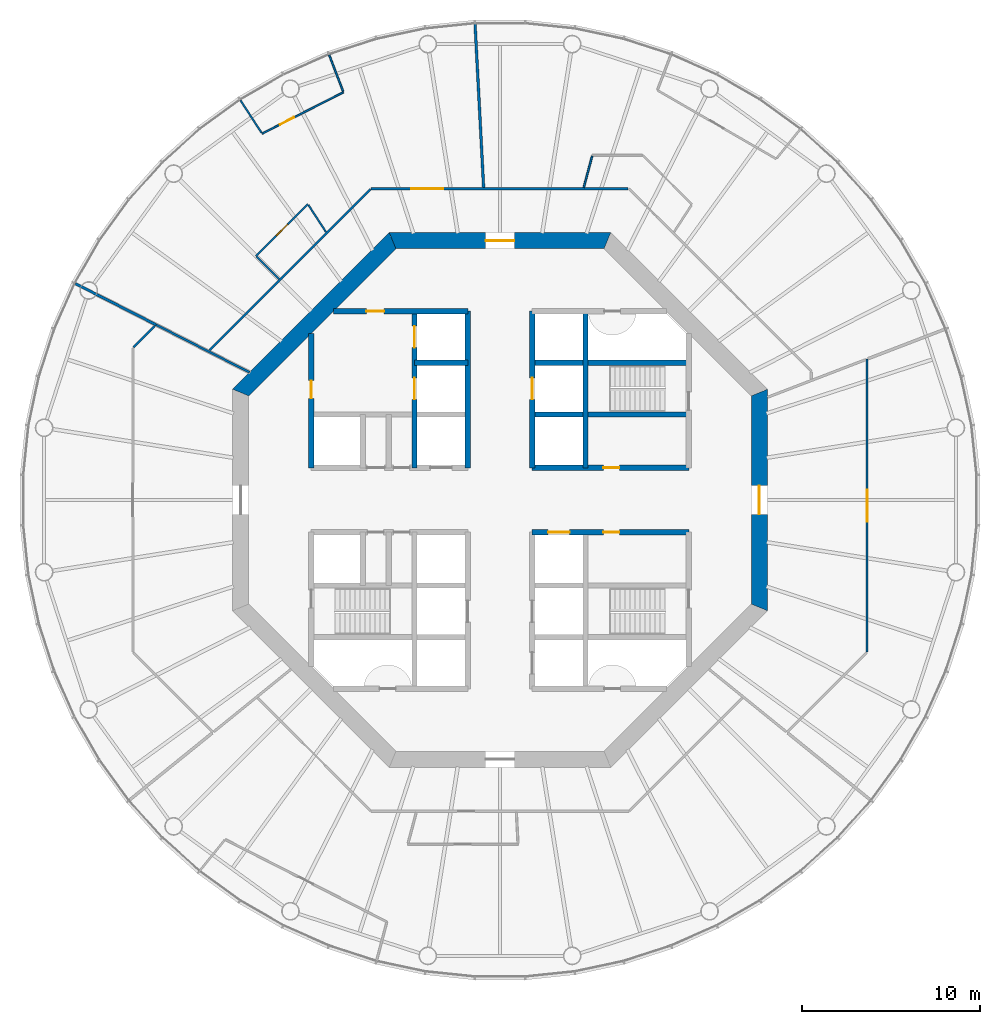
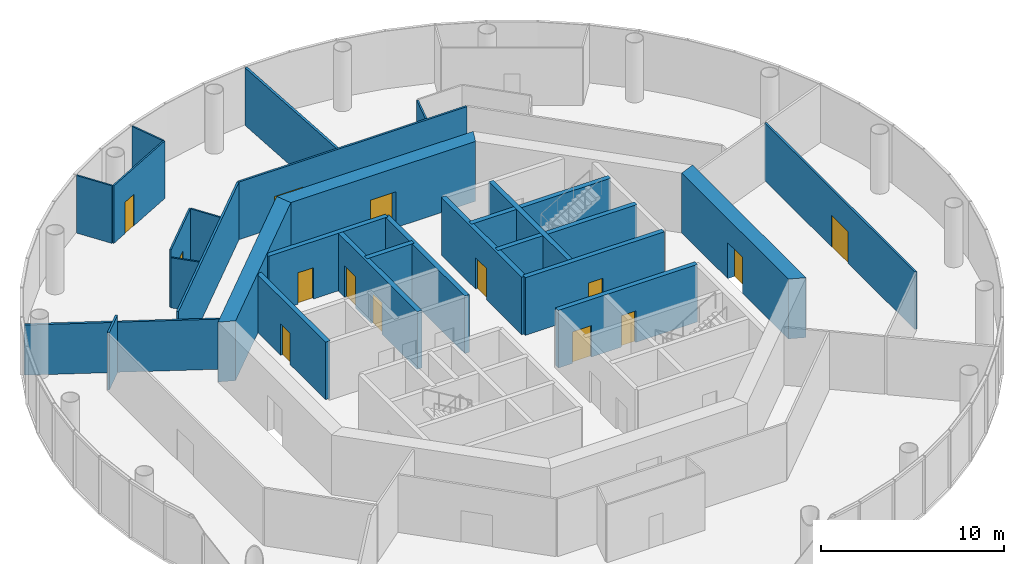
# One storey, part 4 of 12: 28 walls, 14 doors, 14 openings.
"""IFC4 building model written with IfcOpenShell, lengths in metres."""

from ifc_helpers import new_model, si_unit, direction, frame, frame_2d, origin, place, context, subcontext, project, spatial, polyline, rectangle, outline, extrude, material, layer, layer_set, type_object, element, fill, save


model = new_model("IFC4")

# Units and contexts
model_context = context("Model", 3, precision=1e-05, world=origin(), true_north=direction((0.0, 1.0)))
body_context = subcontext(model_context, "Body", "Model", "MODEL_VIEW")
ifc_project = project(units=[si_unit("LENGTHUNIT", "METRE"), si_unit("AREAUNIT", "SQUARE_METRE"), si_unit("VOLUMEUNIT", "CUBIC_METRE"), si_unit("PLANEANGLEUNIT", "RADIAN"), si_unit("MASSUNIT", "GRAM", prefix="KILO")], contexts=[model_context])

# Site, building, storey
site_placement = place(None, origin())
site = spatial("IfcSite", under=ifc_project, at=site_placement, CompositionType="ELEMENT")
building_placement = place(site_placement, origin())
building = spatial("IfcBuilding", under=site, at=building_placement, Name="Entoto Ring Tower", CompositionType="ELEMENT")
storey_placement = place(building_placement, frame((0.0, 0.0, 242.0)))
storey = spatial("IfcBuildingStorey", under=building, at=storey_placement, Name="L55", CompositionType="ELEMENT", Elevation=242.0)

# Wall
ifc_material_1 = material(Name="Concrete C40/50", Category="concrete")
ifc_layer_1 = layer(ifc_material_1, 0.300048828125)
ifc_layer_set_1 = layer_set([ifc_layer_1], Name="Concrete C40/50")
wall_type_1 = type_object("IfcWallType", Name="Core enclosure wall 300 mm reinforced concrete", PredefinedType="SOLIDWALL", material=ifc_layer_set_1)
wall_1_placement = place(storey_placement, frame((94.800048828125, 81.800048828125, 0.0), z_axis=(0.0, 0.0, 1.0), x_axis=(0.0, 1.0, 0.0)))
element("IfcWall", 1, at=wall_1_placement, inside=storey, type_object=wall_type_1, Name="wall-L55-004", PredefinedType="SOLIDWALL", context=body_context, shape_type="SweptSolid", body=[
    extrude(rectangle(XDim=8.800048828125, YDim=0.300048828125, at=frame_2d((4.39990234375, 0.0))), origin(), (0.0, 0.0, 1.0), 3.85009765625),
])

# Wall, opening, door
wall_2_placement = place(storey_placement, frame((91.800048828125, 81.800048828125, 0.0), z_axis=(0.0, 0.0, 1.0), x_axis=(0.0, 1.0, 0.0)))
wall_2 = element("IfcWall", 2, at=wall_2_placement, inside=storey, type_object=wall_type_1, Name="wall-L55-006", PredefinedType="SOLIDWALL", context=body_context, shape_type="SweptSolid", body=[
    extrude(rectangle(XDim=8.800048828125, YDim=0.300048828125, at=frame_2d((4.39990234375, 0.0))), origin(), (0.0, 0.0, 1.0), 3.85009765625),
])
opening_1_placement = place(wall_2_placement, frame((3.85009765625, 0.0, 0.0)))
opening_1 = element("IfcOpeningElement", 3, at=opening_1_placement, cuts=wall_2, Name="Opening LD", PredefinedType="OPENING", context=body_context, shape_type="SweptSolid", body=[
    extrude(rectangle(XDim=1.199951171875, YDim=2.10009765625, at=frame_2d((0.60009765625, 1.050048828125))), frame((0.0, 0.16015625, 0.0), z_axis=(0.0, -1.0, 0.0), x_axis=(1.0, 0.0, 0.0)), (0.0, 0.0, 1.0), 0.320068359375),
])
ifc_material_2 = material(Name="Steel and glass door leaf", Category="steel")
ifc_layer_2 = layer(ifc_material_2, 0.050048828125)
ifc_layer_set_2 = layer_set([ifc_layer_2], Name="Steel and glass door leaf")
door_type_1 = type_object("IfcDoorType", Name="Landing door 1200 x 2100 sliding", OperationType="DOUBLE_DOOR_SLIDING", PredefinedType="DOOR", material=ifc_layer_set_2)
door_1_placement = place(opening_1_placement, origin())
door_1 = element("IfcDoor", 4, at=door_1_placement, inside=storey, type_object=door_type_1, Name="Landing door LB1-MR", OperationType="SLIDING_TO_RIGHT", OverallHeight=2.10009765625, OverallWidth=1.199951171875, PredefinedType="DOOR", context=body_context, shape_type="SweptSolid", body=[
    extrude(rectangle(XDim=1.199951171875, YDim=2.10009765625, at=frame_2d((0.60009765625, 1.050048828125))), frame((0.0, 0.02490234375, 0.0), z_axis=(0.0, -1.0, 0.0), x_axis=(1.0, 0.0, 0.0)), (0.0, 0.0, 1.0), 0.050048828125),
])
fill(opening_1, door_1)

# Wall
wall_3_placement = place(storey_placement, frame((88.199951171875, 81.800048828125, 0.0), z_axis=(0.0, 0.0, 1.0), x_axis=(0.0, 1.0, 0.0)))
element("IfcWall", 5, at=wall_3_placement, inside=storey, type_object=wall_type_1, Name="wall-L55-008", PredefinedType="SOLIDWALL", context=body_context, shape_type="SweptSolid", body=[
    extrude(rectangle(XDim=8.800048828125, YDim=0.300048828125, at=frame_2d((4.39990234375, 0.0))), origin(), (0.0, 0.0, 1.0), 3.85009765625),
])

# Wall, openings, doors
wall_4_placement = place(storey_placement, frame((85.199951171875, 81.800048828125, 0.0), z_axis=(0.0, 0.0, 1.0), x_axis=(0.0, 1.0, 0.0)))
wall_4 = element("IfcWall", 6, at=wall_4_placement, inside=storey, type_object=wall_type_1, Name="wall-L55-010", PredefinedType="SOLIDWALL", context=body_context, shape_type="SweptSolid", body=[
    extrude(rectangle(XDim=8.800048828125, YDim=0.300048828125, at=frame_2d((4.39990234375, 0.0))), origin(), (0.0, 0.0, 1.0), 3.85009765625),
])
opening_2_placement = place(wall_4_placement, frame((3.85009765625, 0.0, 0.0)))
opening_2 = element("IfcOpeningElement", 7, at=opening_2_placement, cuts=wall_4, Name="Opening LD", PredefinedType="OPENING", context=body_context, shape_type="SweptSolid", body=[
    extrude(rectangle(XDim=1.199951171875, YDim=2.10009765625, at=frame_2d((0.60009765625, 1.050048828125))), frame((0.0, 0.16015625, 0.0), z_axis=(0.0, -1.0, 0.0), x_axis=(1.0, 0.0, 0.0)), (0.0, 0.0, 1.0), 0.320068359375),
])
opening_3_placement = place(wall_4_placement, frame((6.75, 0.0, 0.0)))
opening_3 = element("IfcOpeningElement", 8, at=opening_3_placement, cuts=wall_4, Name="Opening LD", PredefinedType="OPENING", context=body_context, shape_type="SweptSolid", body=[
    extrude(rectangle(XDim=1.199951171875, YDim=2.10009765625, at=frame_2d((0.60009765625, 1.050048828125))), frame((0.0, 0.16015625, 0.0), z_axis=(0.0, -1.0, 0.0), x_axis=(1.0, 0.0, 0.0)), (0.0, 0.0, 1.0), 0.320068359375),
])
door_2_placement = place(opening_2_placement, origin())
door_2 = element("IfcDoor", 9, at=door_2_placement, inside=storey, type_object=door_type_1, Name="Landing door FF1", OperationType="SLIDING_TO_RIGHT", OverallHeight=2.10009765625, OverallWidth=1.199951171875, PredefinedType="DOOR", context=body_context, shape_type="SweptSolid", body=[
    extrude(rectangle(XDim=1.199951171875, YDim=2.10009765625, at=frame_2d((0.60009765625, 1.050048828125))), frame((0.0, 0.02490234375, 0.0), z_axis=(0.0, -1.0, 0.0), x_axis=(1.0, 0.0, 0.0)), (0.0, 0.0, 1.0), 0.050048828125),
])
fill(opening_2, door_2)
door_3_placement = place(opening_3_placement, origin())
door_3 = element("IfcDoor", 10, at=door_3_placement, inside=storey, type_object=door_type_1, Name="Landing door FF2", OperationType="SLIDING_TO_RIGHT", OverallHeight=2.10009765625, OverallWidth=1.199951171875, PredefinedType="DOOR", context=body_context, shape_type="SweptSolid", body=[
    extrude(rectangle(XDim=1.199951171875, YDim=2.10009765625, at=frame_2d((0.60009765625, 1.050048828125))), frame((0.0, 0.02490234375, 0.0), z_axis=(0.0, -1.0, 0.0), x_axis=(1.0, 0.0, 0.0)), (0.0, 0.0, 1.0), 0.050048828125),
])
fill(opening_3, door_3)

# Wall, opening, door
wall_5_placement = place(storey_placement, frame((79.39990234375, 81.800048828125, 0.0), z_axis=(0.0, 0.0, 1.0), x_axis=(0.0, 1.0, 0.0)))
wall_5 = element("IfcWall", 11, at=wall_5_placement, inside=storey, type_object=wall_type_1, Name="wall-L55-016", PredefinedType="SOLIDWALL", context=body_context, shape_type="SweptSolid", body=[
    extrude(rectangle(XDim=7.540283203125, YDim=0.300048828125, at=frame_2d((3.77001953125, 0.0))), origin(), (0.0, 0.0, 1.0), 3.85009765625),
])
opening_4_placement = place(wall_5_placement, frame((3.89990234375, 0.0, 0.0)))
opening_4 = element("IfcOpeningElement", 12, at=opening_4_placement, cuts=wall_5, Name="Opening K-23", PredefinedType="OPENING", context=body_context, shape_type="SweptSolid", body=[
    extrude(rectangle(XDim=1.0, YDim=2.10009765625, at=frame_2d((0.5, 1.050048828125))), frame((0.0, 0.16015625, 0.0), z_axis=(0.0, -1.0, 0.0), x_axis=(1.0, 0.0, 0.0)), (0.0, 0.0, 1.0), 0.320068359375),
])
ifc_material_3 = material(Name="Steel door leaf, fire rated", Category="steel")
ifc_layer_3 = layer(ifc_material_3, 0.050048828125)
ifc_layer_set_3 = layer_set([ifc_layer_3], Name="Steel door leaf, fire rated")
door_type_2 = type_object("IfcDoorType", Name="Fire door FD60 1000 x 2100 single leaf", OperationType="NOTDEFINED", PredefinedType="DOOR", material=ifc_layer_set_3)
door_4_placement = place(opening_4_placement, frame((1.0, 0.0, 0.0), z_axis=(0.0, 0.0, 1.0), x_axis=(-1.0, 0.0, 0.0)))
door_4 = element("IfcDoor", 13, at=door_4_placement, inside=storey, type_object=door_type_2, Name="Door K-23", OperationType="SINGLE_SWING_RIGHT", OverallHeight=2.10009765625, OverallWidth=1.0, PredefinedType="DOOR", context=body_context, shape_type="SweptSolid", body=[
    extrude(rectangle(XDim=1.0, YDim=2.10009765625, at=frame_2d((0.5, 1.050048828125))), frame((0.0, 0.02490234375, 0.0), z_axis=(0.0, -1.0, 0.0), x_axis=(1.0, 0.0, 0.0)), (0.0, 0.0, 1.0), 0.050048828125),
])
fill(opening_4, door_4)

# Wall, openings, doors
wall_6_placement = place(storey_placement, frame((91.800048828125, 78.199951171875, 0.0), z_axis=(0.0, 0.0, 1.0), x_axis=(1.0, 0.0, 0.0)))
wall_6 = element("IfcWall", 14, at=wall_6_placement, inside=storey, type_object=wall_type_1, Name="wall-L55-024", PredefinedType="SOLIDWALL", context=body_context, shape_type="SweptSolid", body=[
    extrude(rectangle(XDim=8.800048828125, YDim=0.300048828125, at=frame_2d((4.39990234375, 0.0))), origin(), (0.0, 0.0, 1.0), 3.85009765625),
])
opening_5_placement = place(wall_6_placement, frame((0.89990234375, 0.0, 0.0)))
opening_5 = element("IfcOpeningElement", 15, at=opening_5_placement, cuts=wall_6, Name="Opening LD", PredefinedType="OPENING", context=body_context, shape_type="SweptSolid", body=[
    extrude(rectangle(XDim=1.199951171875, YDim=2.10009765625, at=frame_2d((0.60009765625, 1.050048828125))), frame((0.0, 0.16015625, 0.0), z_axis=(0.0, -1.0, 0.0), x_axis=(1.0, 0.0, 0.0)), (0.0, 0.0, 1.0), 0.320068359375),
])
opening_6_placement = place(wall_6_placement, frame((4.0, 0.0, 0.0)))
opening_6 = element("IfcOpeningElement", 16, at=opening_6_placement, cuts=wall_6, Name="Opening K-12", PredefinedType="OPENING", context=body_context, shape_type="SweptSolid", body=[
    extrude(rectangle(XDim=0.89990234375, YDim=2.10009765625, at=frame_2d((0.449951171875, 1.050048828125))), frame((0.0, 0.16015625, 0.0), z_axis=(0.0, -1.0, 0.0), x_axis=(1.0, 0.0, 0.0)), (0.0, 0.0, 1.0), 0.320068359375),
])
ifc_material_4 = material(Name="Steel door leaf, fire rated", Category="steel")
ifc_layer_4 = layer(ifc_material_4, 0.050048828125)
ifc_layer_set_4 = layer_set([ifc_layer_4], Name="Steel door leaf, fire rated")
door_type_3 = type_object("IfcDoorType", Name="Core door 900 x 2100 single leaf", OperationType="NOTDEFINED", PredefinedType="DOOR", material=ifc_layer_set_4)
door_5_placement = place(opening_6_placement, frame((0.89990234375, 0.0, 0.0), z_axis=(0.0, 0.0, 1.0), x_axis=(-1.0, 0.0, 0.0)))
door_5 = element("IfcDoor", 17, at=door_5_placement, inside=storey, type_object=door_type_3, Name="Door K-12", OperationType="SINGLE_SWING_RIGHT", OverallHeight=2.10009765625, OverallWidth=0.89990234375, PredefinedType="DOOR", context=body_context, shape_type="SweptSolid", body=[
    extrude(rectangle(XDim=0.89990234375, YDim=2.10009765625, at=frame_2d((0.449951171875, 1.050048828125))), frame((0.0, 0.02490234375, 0.0), z_axis=(0.0, -1.0, 0.0), x_axis=(1.0, 0.0, 0.0)), (0.0, 0.0, 1.0), 0.050048828125),
])
fill(opening_6, door_5)
door_6_placement = place(opening_5_placement, origin())
door_6 = element("IfcDoor", 18, at=door_6_placement, inside=storey, type_object=door_type_1, Name="Landing door LB6-MR", OperationType="SLIDING_TO_LEFT", OverallHeight=2.10009765625, OverallWidth=1.199951171875, PredefinedType="DOOR", context=body_context, shape_type="SweptSolid", body=[
    extrude(rectangle(XDim=1.199951171875, YDim=2.10009765625, at=frame_2d((0.60009765625, 1.050048828125))), frame((0.0, 0.02490234375, 0.0), z_axis=(0.0, -1.0, 0.0), x_axis=(1.0, 0.0, 0.0)), (0.0, 0.0, 1.0), 0.050048828125),
])
fill(opening_5, door_6)

# Wall, opening, door
wall_7_placement = place(storey_placement, frame((91.800048828125, 81.800048828125, 0.0), z_axis=(0.0, 0.0, 1.0), x_axis=(1.0, 0.0, 0.0)))
wall_7 = element("IfcWall", 19, at=wall_7_placement, inside=storey, type_object=wall_type_1, Name="wall-L55-026", PredefinedType="SOLIDWALL", context=body_context, shape_type="SweptSolid", body=[
    extrude(rectangle(XDim=8.800048828125, YDim=0.300048828125, at=frame_2d((4.39990234375, 0.0))), origin(), (0.0, 0.0, 1.0), 3.85009765625),
])
opening_7_placement = place(wall_7_placement, frame((4.0, 0.0, 0.0)))
opening_7 = element("IfcOpeningElement", 20, at=opening_7_placement, cuts=wall_7, Name="Opening K-11", PredefinedType="OPENING", context=body_context, shape_type="SweptSolid", body=[
    extrude(rectangle(XDim=0.89990234375, YDim=2.10009765625, at=frame_2d((0.449951171875, 1.050048828125))), frame((0.0, 0.16015625, 0.0), z_axis=(0.0, -1.0, 0.0), x_axis=(1.0, 0.0, 0.0)), (0.0, 0.0, 1.0), 0.320068359375),
])
door_7_placement = place(opening_7_placement, origin())
door_7 = element("IfcDoor", 21, at=door_7_placement, inside=storey, type_object=door_type_3, Name="Door K-11", OperationType="SINGLE_SWING_LEFT", OverallHeight=2.10009765625, OverallWidth=0.89990234375, PredefinedType="DOOR", context=body_context, shape_type="SweptSolid", body=[
    extrude(rectangle(XDim=0.89990234375, YDim=2.10009765625, at=frame_2d((0.449951171875, 1.050048828125))), frame((0.0, 0.02490234375, 0.0), z_axis=(0.0, -1.0, 0.0), x_axis=(1.0, 0.0, 0.0)), (0.0, 0.0, 1.0), 0.050048828125),
])
fill(opening_7, door_7)

# Walls
wall_8_placement = place(storey_placement, frame((91.800048828125, 84.800048828125, 0.0), z_axis=(0.0, 0.0, 1.0), x_axis=(1.0, 0.0, 0.0)))
element("IfcWall", 22, at=wall_8_placement, inside=storey, type_object=wall_type_1, Name="wall-L55-028", PredefinedType="SOLIDWALL", context=body_context, shape_type="SweptSolid", body=[
    extrude(rectangle(XDim=8.800048828125, YDim=0.300048828125, at=frame_2d((4.39990234375, 0.0))), origin(), (0.0, 0.0, 1.0), 3.85009765625),
])
wall_9_placement = place(storey_placement, frame((85.199951171875, 87.699951171875, 0.0), z_axis=(0.0, 0.0, 1.0), x_axis=(1.0, 0.0, 0.0)))
element("IfcWall", 23, at=wall_9_placement, inside=storey, type_object=wall_type_1, Name="wall-L55-029", PredefinedType="SOLIDWALL", context=body_context, shape_type="SweptSolid", body=[
    extrude(rectangle(XDim=3.0, YDim=0.300048828125, at=frame_2d((1.5, 0.0))), origin(), (0.0, 0.0, 1.0), 3.85009765625),
])
wall_10_placement = place(storey_placement, frame((91.800048828125, 87.699951171875, 0.0), z_axis=(0.0, 0.0, 1.0), x_axis=(1.0, 0.0, 0.0)))
element("IfcWall", 24, at=wall_10_placement, inside=storey, type_object=wall_type_1, Name="wall-L55-030", PredefinedType="SOLIDWALL", context=body_context, shape_type="SweptSolid", body=[
    extrude(rectangle(XDim=8.800048828125, YDim=0.300048828125, at=frame_2d((4.39990234375, 0.0))), origin(), (0.0, 0.0, 1.0), 3.85009765625),
])

# Wall, opening, door
wall_11_placement = place(storey_placement, frame((80.65966796875, 90.60009765625, 0.0), z_axis=(0.0, 0.0, 1.0), x_axis=(1.0, 0.0, 0.0)))
wall_11 = element("IfcWall", 25, at=wall_11_placement, inside=storey, type_object=wall_type_1, Name="wall-L55-031", PredefinedType="SOLIDWALL", context=body_context, shape_type="SweptSolid", body=[
    extrude(rectangle(XDim=7.540283203125, YDim=0.300048828125, at=frame_2d((3.77001953125, 0.0))), origin(), (0.0, 0.0, 1.0), 3.85009765625),
])
opening_8_placement = place(wall_11_placement, frame((1.84033203125, 0.0, 0.0)))
opening_8 = element("IfcOpeningElement", 26, at=opening_8_placement, cuts=wall_11, Name="Opening K-73", PredefinedType="OPENING", context=body_context, shape_type="SweptSolid", body=[
    extrude(rectangle(XDim=1.0, YDim=2.10009765625, at=frame_2d((0.5, 1.050048828125))), frame((0.0, 0.16015625, 0.0), z_axis=(0.0, -1.0, 0.0), x_axis=(1.0, 0.0, 0.0)), (0.0, 0.0, 1.0), 0.320068359375),
])
door_8_placement = place(opening_8_placement, frame((1.0, 0.0, 0.0), z_axis=(0.0, 0.0, 1.0), x_axis=(-1.0, 0.0, 0.0)))
door_8 = element("IfcDoor", 27, at=door_8_placement, inside=storey, type_object=door_type_2, Name="Door K-73", OperationType="SINGLE_SWING_LEFT", OverallHeight=2.10009765625, OverallWidth=1.0, PredefinedType="DOOR", context=body_context, shape_type="SweptSolid", body=[
    extrude(rectangle(XDim=1.0, YDim=2.10009765625, at=frame_2d((0.5, 1.050048828125))), frame((0.0, 0.02490234375, 0.0), z_axis=(0.0, -1.0, 0.0), x_axis=(1.0, 0.0, 0.0)), (0.0, 0.0, 1.0), 0.050048828125),
])
fill(opening_8, door_8)

ifc_material_5 = material(Name="Concrete C50/60", Category="concrete")
ifc_layer_5 = layer(ifc_material_5, 0.89990234375)
ifc_layer_set_5 = layer_set([ifc_layer_5], Name="Concrete C50/60")
wall_type_2 = type_object("IfcWallType", Name="Core shear wall 900 mm reinforced concrete C50/60", PredefinedType="SHEAR", material=ifc_layer_set_5)
wall_12_placement = place(storey_placement, frame((104.550048828125, 73.97314453125, 0.0), z_axis=(0.0, 0.0, 1.0), x_axis=(0.0, 1.0, 0.0)))
wall_12 = element("IfcWall", 28, at=wall_12_placement, inside=storey, type_object=wall_type_2, Name="wall-L55-core-0", PredefinedType="SHEAR", context=body_context, shape_type="SweptSolid", body=[
    extrude(outline(polyline([(-0.186279296875, -0.449951171875), (12.239990234375, -0.449951171875), (11.867431640625, 0.449951171875), (0.186279296875, 0.449951171875), (-0.186279296875, -0.449951171875)])), origin(), (0.0, 0.0, 1.0), 4.0),
])
opening_9_placement = place(wall_12_placement, frame((5.226806640625, 0.0, 0.0)))
opening_9 = element("IfcOpeningElement", 29, at=opening_9_placement, cuts=wall_12, Name="Opening K-01", PredefinedType="OPENING", context=body_context, shape_type="SweptSolid", body=[
    extrude(rectangle(XDim=1.60009765625, YDim=2.39990234375, at=frame_2d((0.800048828125, 1.199951171875))), frame((0.0, 0.4599609375, 0.0), z_axis=(0.0, -1.0, 0.0), x_axis=(1.0, 0.0, 0.0)), (0.0, 0.0, 1.0), 0.919921875),
])
ifc_material_6 = material(Name="Steel door leaf, fire rated", Category="steel")
ifc_layer_6 = layer(ifc_material_6, 0.050048828125)
ifc_layer_set_6 = layer_set([ifc_layer_6], Name="Steel door leaf, fire rated")
door_type_4 = type_object("IfcDoorType", Name="Entrance door FD60 1600 x 2400 double leaf", OperationType="DOUBLE_DOOR_SINGLE_SWING", PredefinedType="DOOR", material=ifc_layer_set_6)
door_9_placement = place(opening_9_placement, origin())
door_9 = element("IfcDoor", 30, at=door_9_placement, inside=storey, type_object=door_type_4, Name="Entrance door K-01", OperationType="DOUBLE_DOOR_SINGLE_SWING", OverallHeight=2.39990234375, OverallWidth=1.60009765625, PredefinedType="DOOR", context=body_context, shape_type="SweptSolid", body=[
    extrude(rectangle(XDim=1.60009765625, YDim=2.39990234375, at=frame_2d((0.800048828125, 1.199951171875))), frame((0.0, 0.02490234375, 0.0), z_axis=(0.0, -1.0, 0.0), x_axis=(1.0, 0.0, 0.0)), (0.0, 0.0, 1.0), 0.050048828125),
])
fill(opening_9, door_9)

wall_13_placement = place(storey_placement, frame((96.02685546875, 94.550048828125, 0.0), z_axis=(0.0, 0.0, 1.0), x_axis=(-1.0, 0.0, 0.0)))
wall_13 = element("IfcWall", 31, at=wall_13_placement, inside=storey, type_object=wall_type_2, Name="wall-L55-core-2", PredefinedType="SHEAR", context=body_context, shape_type="SweptSolid", body=[
    extrude(outline(polyline([(-0.186279296875, -0.449951171875), (12.239990234375, -0.449951171875), (11.867431640625, 0.449951171875), (0.186279296875, 0.449951171875), (-0.186279296875, -0.449951171875)])), origin(), (0.0, 0.0, 1.0), 4.0),
])
opening_10_placement = place(wall_13_placement, frame((5.226806640625, 0.0, 0.0)))
opening_10 = element("IfcOpeningElement", 32, at=opening_10_placement, cuts=wall_13, Name="Opening K-02", PredefinedType="OPENING", context=body_context, shape_type="SweptSolid", body=[
    extrude(rectangle(XDim=1.60009765625, YDim=2.39990234375, at=frame_2d((0.800048828125, 1.199951171875))), frame((0.0, 0.4599609375, 0.0), z_axis=(0.0, -1.0, 0.0), x_axis=(1.0, 0.0, 0.0)), (0.0, 0.0, 1.0), 0.919921875),
])
door_10_placement = place(opening_10_placement, origin())
door_10 = element("IfcDoor", 33, at=door_10_placement, inside=storey, type_object=door_type_4, Name="Entrance door K-02", OperationType="DOUBLE_DOOR_SINGLE_SWING", OverallHeight=2.39990234375, OverallWidth=1.60009765625, PredefinedType="DOOR", context=body_context, shape_type="SweptSolid", body=[
    extrude(rectangle(XDim=1.60009765625, YDim=2.39990234375, at=frame_2d((0.800048828125, 1.199951171875))), frame((0.0, 0.02490234375, 0.0), z_axis=(0.0, -1.0, 0.0), x_axis=(1.0, 0.0, 0.0)), (0.0, 0.0, 1.0), 0.050048828125),
])
fill(opening_10, door_10)

# Wall
wall_14_placement = place(storey_placement, frame((83.97314453125, 94.550048828125, 0.0), z_axis=(0.0, 0.0, 1.0), x_axis=(-0.707106781187, -0.707106781187, 0.0)))
element("IfcWall", 34, at=wall_14_placement, inside=storey, type_object=wall_type_2, Name="wall-L55-core-3", PredefinedType="SHEAR", context=body_context, shape_type="SweptSolid", body=[
    extrude(outline(polyline([(-0.186279296875, -0.449951171875), (12.239990234375, -0.449951171875), (11.867431640625, 0.449951171875), (0.186279296875, 0.449951171875), (-0.186279296875, -0.449951171875)])), origin(), (0.0, 0.0, 1.0), 4.0),
])

# Wall, opening, door
ifc_material_7 = material(Name="Fire-resisting plasterboard on steel studs", Category="steel")
ifc_layer_7 = layer(ifc_material_7, 0.125)
ifc_layer_set_7 = layer_set([ifc_layer_7], Name="Fire-resisting plasterboard on steel studs")
wall_type_3 = type_object("IfcWallType", Name="Corridor wall 125 mm one-hour plasterboard on steel studs", PredefinedType="PARTITIONING", material=ifc_layer_set_7)
wall_15_placement = place(storey_placement, frame((110.60009765625, 71.46728515625, 0.0), z_axis=(0.0, 0.0, 1.0), x_axis=(0.0, 1.0, 0.0)))
wall_15 = element("IfcWall", 35, at=wall_15_placement, inside=storey, type_object=wall_type_3, Name="partition-L55-002", PredefinedType="PARTITIONING", context=body_context, shape_type="SweptSolid", body=[
    extrude(rectangle(XDim=16.4404296875, YDim=0.125, at=frame_2d((8.22021484375, 0.0))), origin(), (0.0, 0.0, 1.0), 3.85009765625),
])
opening_11_placement = place(wall_15_placement, frame((7.3203125, 0.0, 0.0)))
opening_11 = element("IfcOpeningElement", 36, at=opening_11_placement, cuts=wall_15, Name="Opening A24-D01", PredefinedType="OPENING", context=body_context, shape_type="SweptSolid", body=[
    extrude(rectangle(XDim=1.800048828125, YDim=2.10009765625, at=frame_2d((0.89990234375, 1.050048828125))), frame((0.0, 0.072509765625, 0.0), z_axis=(0.0, -1.0, 0.0), x_axis=(1.0, 0.0, 0.0)), (0.0, 0.0, 1.0), 0.14501953125),
])
ifc_material_8 = material(Name="Fire-resisting timber door set", Category="wood")
door_type_5 = type_object("IfcDoorType", Name="Door 1800 x 2100 double leaf FD30S fire door", OperationType="DOUBLE_DOOR_SINGLE_SWING", PredefinedType="DOOR", material=ifc_material_8)
door_11_placement = place(opening_11_placement, frame((1.800048828125, 0.0, 0.0), z_axis=(0.0, 0.0, 1.0), x_axis=(-1.0, 0.0, 0.0)))
door_11 = element("IfcDoor", 37, at=door_11_placement, inside=storey, type_object=door_type_5, Name="Door A24-D01", OperationType="DOUBLE_DOOR_SINGLE_SWING", OverallHeight=2.10009765625, OverallWidth=1.800048828125, PredefinedType="DOOR", context=body_context, shape_type="SweptSolid", body=[
    extrude(rectangle(XDim=1.800048828125, YDim=2.10009765625, at=frame_2d((0.89990234375, 1.050048828125))), frame((0.0, 0.02490234375, 0.0), z_axis=(0.0, -1.0, 0.0), x_axis=(1.0, 0.0, 0.0)), (0.0, 0.0, 1.0), 0.050048828125),
])
fill(opening_11, door_11)

wall_16_placement = place(storey_placement, frame((82.766845703125, 97.46240234375, 0.0), z_axis=(0.0, 0.0, 1.0), x_axis=(1.0, 0.0, 0.0)))
wall_16 = element("IfcWall", 38, at=wall_16_placement, inside=storey, type_object=wall_type_3, Name="partition-L55-005", PredefinedType="PARTITIONING", context=body_context, shape_type="SweptSolid", body=[
    extrude(rectangle(XDim=14.42236328125, YDim=0.125, at=frame_2d((7.211181640625, 0.0))), origin(), (0.0, 0.0, 1.0), 3.85009765625),
])
opening_12_placement = place(wall_16_placement, frame((2.259033203125, 0.0, 0.0)))
opening_12 = element("IfcOpeningElement", 39, at=opening_12_placement, cuts=wall_16, Name="Opening A24-D07", PredefinedType="OPENING", context=body_context, shape_type="SweptSolid", body=[
    extrude(rectangle(XDim=1.800048828125, YDim=2.10009765625, at=frame_2d((0.89990234375, 1.050048828125))), frame((0.0, 0.072509765625, 0.0), z_axis=(0.0, -1.0, 0.0), x_axis=(1.0, 0.0, 0.0)), (0.0, 0.0, 1.0), 0.14501953125),
])
door_12_placement = place(opening_12_placement, origin())
door_12 = element("IfcDoor", 40, at=door_12_placement, inside=storey, type_object=door_type_5, Name="Door A24-D07", OperationType="DOUBLE_DOOR_SINGLE_SWING", OverallHeight=2.10009765625, OverallWidth=1.800048828125, PredefinedType="DOOR", context=body_context, shape_type="SweptSolid", body=[
    extrude(rectangle(XDim=1.800048828125, YDim=2.10009765625, at=frame_2d((0.89990234375, 1.050048828125))), frame((0.0, 0.02490234375, 0.0), z_axis=(0.0, -1.0, 0.0), x_axis=(1.0, 0.0, 0.0)), (0.0, 0.0, 1.0), 0.050048828125),
])
fill(opening_12, door_12)

# Walls
wall_17_placement = place(storey_placement, frame((73.70068359375, 88.396484375, 0.0), z_axis=(0.0, 0.0, 1.0), x_axis=(0.707106781187, 0.707106781187, 0.0)))
element("IfcWall", 41, at=wall_17_placement, inside=storey, type_object=wall_type_3, Name="partition-L55-006", PredefinedType="PARTITIONING", context=body_context, shape_type="SweptSolid", body=[
    extrude(rectangle(XDim=12.77734375, YDim=0.125, at=frame_2d((6.388671875, 0.0))), origin(), (0.0, 0.0, 1.0), 3.85009765625),
])
wall_18_placement = place(storey_placement, frame((69.43115234375, 88.56396484375, 0.0), z_axis=(0.0, 0.0, 1.0), x_axis=(0.707106781187, 0.707106781187, 0.0)))
element("IfcWall", 42, at=wall_18_placement, inside=storey, type_object=wall_type_3, Name="partition-L55-015", PredefinedType="PARTITIONING", context=body_context, shape_type="SweptSolid", body=[
    extrude(rectangle(XDim=1.6962890625, YDim=0.125, at=frame_2d((0.84814453125, 0.0))), origin(), (0.0, 0.0, 1.0), 3.85009765625),
])
ifc_material_9 = material(Name="Fire-resisting plasterboard on steel studs", Category="steel")
ifc_layer_8 = layer(ifc_material_9, 0.125)
ifc_layer_set_8 = layer_set([ifc_layer_8], Name="Fire-resisting plasterboard on steel studs")
wall_type_4 = type_object("IfcWallType", Name="Corridor wall 125 mm one-hour plasterboard on steel studs, 3350 mm high", PredefinedType="PARTITIONING", material=ifc_layer_set_8)
wall_19_placement = place(storey_placement, frame((75.947021484375, 87.160400390625, 0.0), z_axis=(0.0, 0.0, 1.0), x_axis=(-0.891009750901, 0.453984166905, 0.0)))
element("IfcWall", 43, at=wall_19_placement, inside=storey, type_object=wall_type_4, Name="partition-L55-012", PredefinedType="PARTITIONING", context=body_context, shape_type="SweptSolid", body=[
    extrude(rectangle(XDim=5.88818359375, YDim=0.125, at=frame_2d((2.944091796875, 0.0))), origin(), (0.0, 0.0, 1.0), 3.35009765625),
])

# Wall, opening, door
ifc_material_10 = material(Name="Plasterboard on steel studs", Category="steel")
ifc_layer_9 = layer(ifc_material_10, 0.10009765625)
ifc_layer_set_9 = layer_set([ifc_layer_9], Name="Plasterboard on steel studs")
wall_type_5 = type_object("IfcWallType", Name="Partition 100 mm plasterboard on steel studs", PredefinedType="PARTITIONING", material=ifc_layer_set_9)
wall_20_placement = place(storey_placement, frame((76.65087890625, 100.555908203125, 0.0), z_axis=(0.0, 0.0, 1.0), x_axis=(0.891008950858, 0.4539857371, 0.0)))
wall_20 = element("IfcWall", 44, at=wall_20_placement, inside=storey, type_object=wall_type_5, Name="partition-L55-025", PredefinedType="PARTITIONING", context=body_context, shape_type="SweptSolid", body=[
    extrude(rectangle(XDim=5.123779296875, YDim=0.10009765625, at=frame_2d((2.56201171875, 0.0))), origin(), (0.0, 0.0, 1.0), 3.85009765625),
])
opening_13_placement = place(wall_20_placement, frame((1.11474609375, 0.0, 0.0)))
opening_13 = element("IfcOpeningElement", 45, at=opening_13_placement, cuts=wall_20, Name="Opening A24-D09", PredefinedType="OPENING", context=body_context, shape_type="SweptSolid", body=[
    extrude(rectangle(XDim=0.89990234375, YDim=2.10009765625, at=frame_2d((0.449951171875, 1.050048828125))), frame((0.0, 0.06005859375, 0.0), z_axis=(0.0, -1.0, 0.0), x_axis=(1.0, 0.0, 0.0)), (0.0, 0.0, 1.0), 0.1201171875),
])
ifc_material_11 = material(Name="Veneered timber door leaf in timber frame", Category="wood")
door_type_6 = type_object("IfcDoorType", Name="Door 900 x 2100 single leaf timber veneer", OperationType="NOTDEFINED", PredefinedType="DOOR", material=ifc_material_11)
door_13_placement = place(opening_13_placement, origin())
door_13 = element("IfcDoor", 46, at=door_13_placement, inside=storey, type_object=door_type_6, Name="Door A24-D09", OperationType="SINGLE_SWING_LEFT", OverallHeight=2.10009765625, OverallWidth=0.89990234375, PredefinedType="DOOR", context=body_context, shape_type="SweptSolid", body=[
    extrude(rectangle(XDim=0.89990234375, YDim=2.10009765625, at=frame_2d((0.449951171875, 1.050048828125))), frame((0.0, 0.02490234375, 0.0), z_axis=(0.0, -1.0, 0.0), x_axis=(1.0, 0.0, 0.0)), (0.0, 0.0, 1.0), 0.050048828125),
])
fill(opening_13, door_13)

wall_21_placement = place(storey_placement, frame((76.30859375, 93.69140625, 0.0), z_axis=(0.0, 0.0, 1.0), x_axis=(0.707106781187, 0.707106781187, 0.0)))
wall_21 = element("IfcWall", 47, at=wall_21_placement, inside=storey, type_object=wall_type_5, Name="partition-L55-026", PredefinedType="PARTITIONING", context=body_context, shape_type="SweptSolid", body=[
    extrude(rectangle(XDim=4.115478515625, YDim=0.10009765625, at=frame_2d((2.0576171875, 0.0))), origin(), (0.0, 0.0, 1.0), 3.85009765625),
])
opening_14_placement = place(wall_21_placement, frame((1.60791015625, 0.0, 0.0)))
opening_14 = element("IfcOpeningElement", 48, at=opening_14_placement, cuts=wall_21, Name="Opening A24-D08", PredefinedType="OPENING", context=body_context, shape_type="SweptSolid", body=[
    extrude(rectangle(XDim=0.89990234375, YDim=2.10009765625, at=frame_2d((0.449951171875, 1.050048828125))), frame((0.0, 0.06005859375, 0.0), z_axis=(0.0, -1.0, 0.0), x_axis=(1.0, 0.0, 0.0)), (0.0, 0.0, 1.0), 0.1201171875),
])
door_14_placement = place(opening_14_placement, frame((0.89990234375, 0.0, 0.0), z_axis=(0.0, 0.0, 1.0), x_axis=(-1.0, 0.0, 0.0)))
door_14 = element("IfcDoor", 49, at=door_14_placement, inside=storey, type_object=door_type_6, Name="Door A24-D08", OperationType="SINGLE_SWING_LEFT", OverallHeight=2.10009765625, OverallWidth=0.89990234375, PredefinedType="DOOR", context=body_context, shape_type="SweptSolid", body=[
    extrude(rectangle(XDim=0.89990234375, YDim=2.10009765625, at=frame_2d((0.449951171875, 1.050048828125))), frame((0.0, 0.02490234375, 0.0), z_axis=(0.0, -1.0, 0.0), x_axis=(1.0, 0.0, 0.0)), (0.0, 0.0, 1.0), 0.050048828125),
])
fill(opening_14, door_14)

# Walls
wall_22_placement = place(storey_placement, frame((81.198486328125, 102.928466796875, 0.0), z_axis=(0.0, 0.0, 1.0), x_axis=(-0.35834116207, 0.933590708805, 0.0)))
element("IfcWall", 50, at=wall_22_placement, inside=storey, type_object=wall_type_5, Name="partition-L55-029", PredefinedType="PARTITIONING", context=body_context, shape_type="SweptSolid", body=[
    extrude(rectangle(XDim=2.18017578125, YDim=0.10009765625, at=frame_2d((1.090087890625, 0.0))), origin(), (0.0, 0.0, 1.0), 3.85009765625),
])
wall_23_placement = place(storey_placement, frame((76.623779296875, 100.597412109375, 0.0), z_axis=(0.0, 0.0, 1.0), x_axis=(-0.544634083257, 0.838673783634, 0.0)))
element("IfcWall", 51, at=wall_23_placement, inside=storey, type_object=wall_type_5, Name="partition-L55-031", PredefinedType="PARTITIONING", context=body_context, shape_type="SweptSolid", body=[
    extrude(rectangle(XDim=2.180419921875, YDim=0.10009765625, at=frame_2d((1.09033203125, 0.0))), origin(), (0.0, 0.0, 1.0), 3.85009765625),
])
wall_24_placement = place(storey_placement, frame((94.69921875, 97.537841796875, 0.0), z_axis=(0.0, 0.0, 1.0), x_axis=(0.25888135243, 0.965909128937, 0.0)))
element("IfcWall", 52, at=wall_24_placement, inside=storey, type_object=wall_type_5, Name="partition-L55-035", PredefinedType="PARTITIONING", context=body_context, shape_type="SweptSolid", body=[
    extrude(rectangle(XDim=1.820068359375, YDim=0.10009765625, at=frame_2d((0.91015625, 0.0))), origin(), (0.0, 0.0, 1.0), 3.85009765625),
])
wall_25_placement = place(storey_placement, frame((80.236083984375, 95.034912109375, 0.0), z_axis=(0.0, 0.0, 1.0), x_axis=(-0.544584451758, 0.838706012202, 0.0)))
element("IfcWall", 53, at=wall_25_placement, inside=storey, type_object=wall_type_5, Name="partition-L55-036", PredefinedType="PARTITIONING", context=body_context, shape_type="SweptSolid", body=[
    extrude(rectangle(XDim=1.80615234375, YDim=0.10009765625, at=frame_2d((0.903076171875, 0.0))), origin(), (0.0, 0.0, 1.0), 3.85009765625),
])
ifc_material_12 = material(Name="Plasterboard on steel studs", Category="steel")
ifc_layer_10 = layer(ifc_material_12, 0.10009765625)
ifc_layer_set_10 = layer_set([ifc_layer_10], Name="Plasterboard on steel studs")
wall_type_6 = type_object("IfcWallType", Name="Partition 100 mm plasterboard on steel studs, 3350 mm high", PredefinedType="PARTITIONING", material=ifc_layer_set_10)
wall_26_placement = place(storey_placement, frame((77.60791015625, 92.39208984375, 0.0), z_axis=(0.0, 0.0, 1.0), x_axis=(-0.707106781187, 0.707106781187, 0.0)))
element("IfcWall", 54, at=wall_26_placement, inside=storey, type_object=wall_type_6, Name="partition-L55-039", PredefinedType="PARTITIONING", context=body_context, shape_type="SweptSolid", body=[
    extrude(rectangle(XDim=1.787353515625, YDim=0.10009765625, at=frame_2d((0.8935546875, 0.0))), origin(), (0.0, 0.0, 1.0), 3.35009765625),
])
ifc_material_13 = material(Name="Fire-resisting acoustic plasterboard on steel studs", Category="steel")
ifc_layer_11 = layer(ifc_material_13, 0.14990234375)
ifc_layer_set_11 = layer_set([ifc_layer_11], Name="Fire-resisting acoustic plasterboard on steel studs")
wall_type_7 = type_object("IfcWallType", Name="Party wall 150 mm one-hour acoustic plasterboard on steel studs", PredefinedType="PARTITIONING", material=ifc_layer_set_11)
wall_27_placement = place(storey_placement, frame((89.081298828125, 97.52880859375, 0.0), z_axis=(0.0, 0.0, 1.0), x_axis=(-0.052324509301, 0.998630134598, 0.0)))
element("IfcWall", 55, at=wall_27_placement, inside=storey, type_object=wall_type_7, Name="partition-L55-017", PredefinedType="PARTITIONING", context=body_context, shape_type="SweptSolid", body=[
    extrude(rectangle(XDim=9.187255859375, YDim=0.14990234375, at=frame_2d((4.59375, 0.0))), origin(), (0.0, 0.0, 1.0), 3.85009765625),
])
ifc_material_14 = material(Name="Fire-resisting acoustic plasterboard on steel studs", Category="steel")
ifc_layer_12 = layer(ifc_material_14, 0.14990234375)
ifc_layer_set_12 = layer_set([ifc_layer_12], Name="Fire-resisting acoustic plasterboard on steel studs")
wall_type_8 = type_object("IfcWallType", Name="Party wall 150 mm one-hour acoustic plasterboard on steel studs, 3350 mm high", PredefinedType="PARTITIONING", material=ifc_layer_set_12)
wall_28_placement = place(storey_placement, frame((70.700439453125, 89.83349609375, 0.0), z_axis=(0.0, 0.0, 1.0), x_axis=(-0.890998412494, 0.454006419485, 0.0)))
element("IfcWall", 56, at=wall_28_placement, inside=storey, type_object=wall_type_8, Name="partition-L55-020", PredefinedType="PARTITIONING", context=body_context, shape_type="SweptSolid", body=[
    extrude(rectangle(XDim=5.07958984375, YDim=0.14990234375, at=frame_2d((2.539794921875, 0.0))), origin(), (0.0, 0.0, 1.0), 3.35009765625),
])

save(model, "model.ifc")
